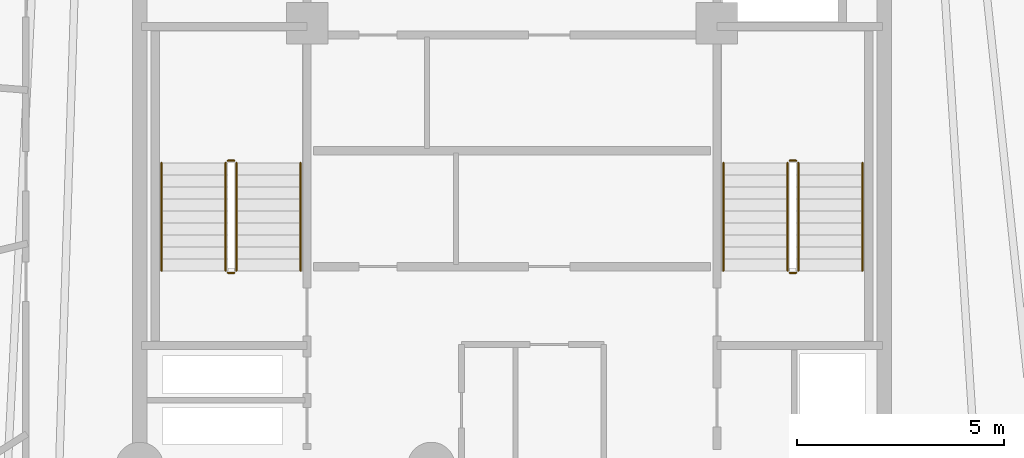
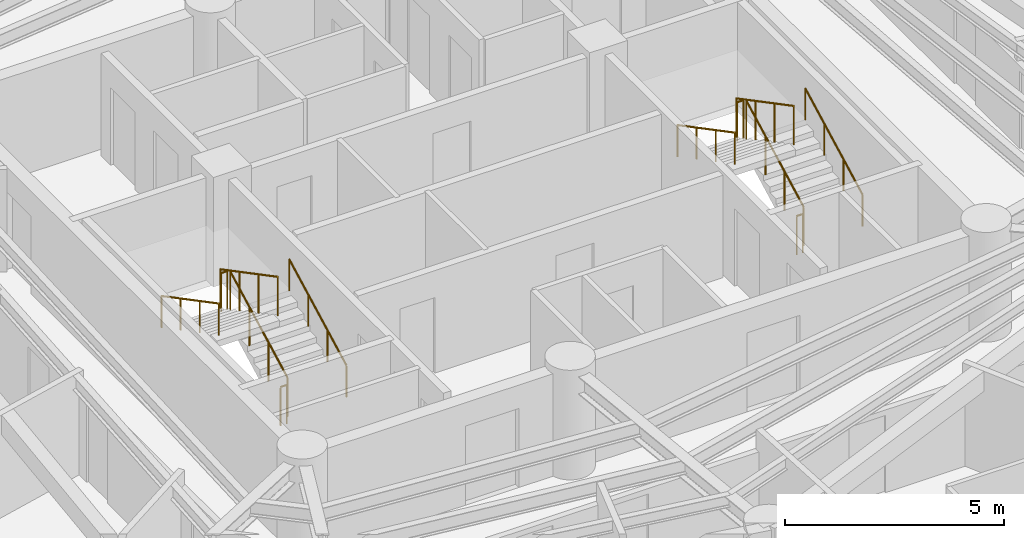
# One storey, part 7 of 7: 12 railings.
"""IFC4 building model written with IfcOpenShell, lengths in metres."""

from ifc_helpers import new_model, si_unit, direction, frame, origin, origin_2d, place, context, subcontext, project, spatial, circle, extrude, material, layer, layer_set, type_object, element, save


model = new_model("IFC4")

# Units and contexts
model_context = context("Model", 3, precision=1e-05, world=origin(), true_north=direction((0.0, 1.0)))
body_context = subcontext(model_context, "Body", "Model", "MODEL_VIEW")
ifc_project = project(units=[si_unit("LENGTHUNIT", "METRE"), si_unit("AREAUNIT", "SQUARE_METRE"), si_unit("VOLUMEUNIT", "CUBIC_METRE"), si_unit("PLANEANGLEUNIT", "RADIAN"), si_unit("MASSUNIT", "GRAM", prefix="KILO")], contexts=[model_context])

# Site, building, storey
site_placement = place(None, origin())
site = spatial("IfcSite", under=ifc_project, at=site_placement, CompositionType="ELEMENT")
building_placement = place(site_placement, origin())
building = spatial("IfcBuilding", under=site, at=building_placement, Name="Karkom Vertical University and Central Library", CompositionType="ELEMENT")
storey_placement = place(building_placement, frame((0.0, 0.0, 223.0)))
storey = spatial("IfcBuildingStorey", under=building, at=storey_placement, Name="L65", CompositionType="ELEMENT", Elevation=223.0)

# Railings
ifc_material_1 = material(Name="Painted galvanised steel balustrade", Category="steel")
ifc_layer_1 = layer(ifc_material_1, 0.06005859375)
ifc_layer_set_1 = layer_set([ifc_layer_1], Name="Painted galvanised steel balustrade")
railing_type_1 = type_object("IfcRailingType", Name="INT-RL-GUARD1100", PredefinedType="GUARDRAIL", material=ifc_layer_set_1)
railing_1_placement = place(storey_placement, frame((21.840087890625, 23.02001953125, 0.152587890625)))
element("IfcRailing", 1, at=railing_1_placement, inside=storey, type_object=railing_type_1, Name="Level 65 ST-1 stair guard 1", PredefinedType="GUARDRAIL", context=body_context, shape_type="SweptSolid", body=[
    extrude(circle(Radius=0.02392578125, at=origin_2d()), frame((0.0, 0.0, 1.076171875), z_axis=(0.0, 0.885099554253, 0.465401739426), x_axis=(-1.0, 0.0, 0.0)), (0.0, 0.0, 1.0), 2.94873046875),
    extrude(circle(Radius=0.02099609375, at=origin_2d()), origin(), (0.0, 0.0, 1.0), 1.052001953125),
    extrude(circle(Radius=0.02099609375, at=origin_2d()), frame((0.0, 0.869873046875, 0.45751953125)), (0.0, 0.0, 1.0), 1.052001953125),
    extrude(circle(Radius=0.02099609375, at=origin_2d()), frame((0.0, 1.739990234375, 0.914794921875)), (0.0, 0.0, 1.0), 1.052001953125),
    extrude(circle(Radius=0.02099609375, at=origin_2d()), frame((0.0, 2.60986328125, 1.372314453125)), (0.0, 0.0, 1.0), 1.052001953125),
])
railing_2_placement = place(storey_placement, frame((21.7900390625, 25.679931640625, 1.52490234375)))
element("IfcRailing", 2, at=railing_2_placement, inside=storey, type_object=railing_type_1, Name="Level 65 ST-1 stair guard 2", PredefinedType="GUARDRAIL", context=body_context, shape_type="SweptSolid", body=[
    extrude(circle(Radius=0.02392578125, at=origin_2d()), frame((0.0, 0.0, 1.076171875), z_axis=(-1.0, 0.0, 0.0), x_axis=(0.0, -1.0, 0.0)), (0.0, 0.0, 1.0), 0.16015625),
    extrude(circle(Radius=0.02099609375, at=origin_2d()), origin(), (0.0, 0.0, 1.0), 1.052001953125),
    extrude(circle(Radius=0.02099609375, at=origin_2d()), frame((-0.16015625, 0.0, 0.0)), (0.0, 0.0, 1.0), 1.052001953125),
])
railing_3_placement = place(storey_placement, frame((21.580078125, 25.6298828125, 1.677490234375)))
element("IfcRailing", 3, at=railing_3_placement, inside=storey, type_object=railing_type_1, Name="Level 65 ST-1 stair guard 3", PredefinedType="GUARDRAIL", context=body_context, shape_type="SweptSolid", body=[
    extrude(circle(Radius=0.02392578125, at=origin_2d()), frame((0.0, 0.0, 1.076171875), z_axis=(0.0, -0.885065446896, 0.46546659892), x_axis=(1.0, 0.0, 0.0)), (0.0, 0.0, 1.0), 2.94873046875),
    extrude(circle(Radius=0.02099609375, at=origin_2d()), origin(), (0.0, 0.0, 1.0), 1.052001953125),
    extrude(circle(Radius=0.02099609375, at=origin_2d()), frame((0.0, -0.869873046875, 0.45751953125)), (0.0, 0.0, 1.0), 1.052001953125),
    extrude(circle(Radius=0.02099609375, at=origin_2d()), frame((0.0, -1.739990234375, 0.9150390625)), (0.0, 0.0, 1.0), 1.052001953125),
    extrude(circle(Radius=0.02099609375, at=origin_2d()), frame((0.0, -2.60986328125, 1.37255859375)), (0.0, 0.0, 1.0), 1.052001953125),
])
railing_4_placement = place(storey_placement, frame((21.7900390625, 22.969970703125, 0.0)))
element("IfcRailing", 4, at=railing_4_placement, inside=storey, type_object=railing_type_1, Name="Level 65 ST-1 stair guard 4", PredefinedType="GUARDRAIL", context=body_context, shape_type="SweptSolid", body=[
    extrude(circle(Radius=0.02392578125, at=origin_2d()), frame((0.0, 0.0, 1.076171875), z_axis=(-1.0, 0.0, 0.0), x_axis=(0.0, -1.0, 0.0)), (0.0, 0.0, 1.0), 0.16015625),
    extrude(circle(Radius=0.02099609375, at=origin_2d()), origin(), (0.0, 0.0, 1.0), 1.052001953125),
    extrude(circle(Radius=0.02099609375, at=origin_2d()), frame((-0.16015625, 0.0, 0.0)), (0.0, 0.0, 1.0), 1.052001953125),
])
railing_5_placement = place(storey_placement, frame((35.419921875, 23.02001953125, 0.152587890625)))
element("IfcRailing", 5, at=railing_5_placement, inside=storey, type_object=railing_type_1, Name="Level 65 ST-2 stair guard 1", PredefinedType="GUARDRAIL", context=body_context, shape_type="SweptSolid", body=[
    extrude(circle(Radius=0.02392578125, at=origin_2d()), frame((0.0, 0.0, 1.076171875), z_axis=(0.0, 0.885099554253, 0.465401739426), x_axis=(-1.0, 0.0, 0.0)), (0.0, 0.0, 1.0), 2.94873046875),
    extrude(circle(Radius=0.02099609375, at=origin_2d()), origin(), (0.0, 0.0, 1.0), 1.052001953125),
    extrude(circle(Radius=0.02099609375, at=origin_2d()), frame((0.0, 0.869873046875, 0.45751953125)), (0.0, 0.0, 1.0), 1.052001953125),
    extrude(circle(Radius=0.02099609375, at=origin_2d()), frame((0.0, 1.739990234375, 0.914794921875)), (0.0, 0.0, 1.0), 1.052001953125),
    extrude(circle(Radius=0.02099609375, at=origin_2d()), frame((0.0, 2.60986328125, 1.372314453125)), (0.0, 0.0, 1.0), 1.052001953125),
])
railing_6_placement = place(storey_placement, frame((35.3701171875, 25.679931640625, 1.52490234375)))
element("IfcRailing", 6, at=railing_6_placement, inside=storey, type_object=railing_type_1, Name="Level 65 ST-2 stair guard 2", PredefinedType="GUARDRAIL", context=body_context, shape_type="SweptSolid", body=[
    extrude(circle(Radius=0.02392578125, at=origin_2d()), frame((0.0, 0.0, 1.076171875), z_axis=(-1.0, 0.0, 0.0), x_axis=(0.0, -1.0, 0.0)), (0.0, 0.0, 1.0), 0.16015625),
    extrude(circle(Radius=0.02099609375, at=origin_2d()), origin(), (0.0, 0.0, 1.0), 1.052001953125),
    extrude(circle(Radius=0.02099609375, at=origin_2d()), frame((-0.16015625, 0.0, 0.0)), (0.0, 0.0, 1.0), 1.052001953125),
])
railing_7_placement = place(storey_placement, frame((35.159912109375, 25.6298828125, 1.677490234375)))
element("IfcRailing", 7, at=railing_7_placement, inside=storey, type_object=railing_type_1, Name="Level 65 ST-2 stair guard 3", PredefinedType="GUARDRAIL", context=body_context, shape_type="SweptSolid", body=[
    extrude(circle(Radius=0.02392578125, at=origin_2d()), frame((0.0, 0.0, 1.076171875), z_axis=(0.0, -0.885065446896, 0.46546659892), x_axis=(1.0, 0.0, 0.0)), (0.0, 0.0, 1.0), 2.94873046875),
    extrude(circle(Radius=0.02099609375, at=origin_2d()), origin(), (0.0, 0.0, 1.0), 1.052001953125),
    extrude(circle(Radius=0.02099609375, at=origin_2d()), frame((0.0, -0.869873046875, 0.45751953125)), (0.0, 0.0, 1.0), 1.052001953125),
    extrude(circle(Radius=0.02099609375, at=origin_2d()), frame((0.0, -1.739990234375, 0.9150390625)), (0.0, 0.0, 1.0), 1.052001953125),
    extrude(circle(Radius=0.02099609375, at=origin_2d()), frame((0.0, -2.60986328125, 1.37255859375)), (0.0, 0.0, 1.0), 1.052001953125),
])
railing_8_placement = place(storey_placement, frame((35.3701171875, 22.969970703125, 0.0)))
element("IfcRailing", 8, at=railing_8_placement, inside=storey, type_object=railing_type_1, Name="Level 65 ST-2 stair guard 4", PredefinedType="GUARDRAIL", context=body_context, shape_type="SweptSolid", body=[
    extrude(circle(Radius=0.02392578125, at=origin_2d()), frame((0.0, 0.0, 1.076171875), z_axis=(-1.0, 0.0, 0.0), x_axis=(0.0, -1.0, 0.0)), (0.0, 0.0, 1.0), 0.16015625),
    extrude(circle(Radius=0.02099609375, at=origin_2d()), origin(), (0.0, 0.0, 1.0), 1.052001953125),
    extrude(circle(Radius=0.02099609375, at=origin_2d()), frame((-0.16015625, 0.0, 0.0)), (0.0, 0.0, 1.0), 1.052001953125),
])
ifc_material_2 = material(Name="Brushed stainless-steel tubular handrail", Category="steel")
ifc_layer_2 = layer(ifc_material_2, 0.048095703125)
ifc_layer_set_2 = layer_set([ifc_layer_2], Name="Brushed stainless-steel tubular handrail")
railing_type_2 = type_object("IfcRailingType", Name="INT-RL-HAND920", PredefinedType="HANDRAIL", material=ifc_layer_set_2)
railing_9_placement = place(storey_placement, frame((23.389892578125, 23.02001953125, 0.152587890625)))
element("IfcRailing", 9, at=railing_9_placement, inside=storey, type_object=railing_type_2, Name="Level 65 ST-1 stair handrail 1", PredefinedType="HANDRAIL", context=body_context, shape_type="SweptSolid", body=[
    extrude(circle(Radius=0.02392578125, at=origin_2d()), frame((0.0, 0.0, 0.8759765625), z_axis=(0.0, 0.885099554253, 0.465401739426), x_axis=(-1.0, 0.0, 0.0)), (0.0, 0.0, 1.0), 2.94873046875),
    extrude(circle(Radius=0.02099609375, at=origin_2d()), origin(), (0.0, 0.0, 1.0), 0.851806640625),
    extrude(circle(Radius=0.02099609375, at=origin_2d()), frame((0.0, 0.869873046875, 0.45751953125)), (0.0, 0.0, 1.0), 0.851806640625),
    extrude(circle(Radius=0.02099609375, at=origin_2d()), frame((0.0, 1.739990234375, 0.914794921875)), (0.0, 0.0, 1.0), 0.851806640625),
    extrude(circle(Radius=0.02099609375, at=origin_2d()), frame((0.0, 2.60986328125, 1.372314453125)), (0.0, 0.0, 1.0), 0.851806640625),
])
railing_10_placement = place(storey_placement, frame((20.030029296875, 25.6298828125, 1.677490234375)))
element("IfcRailing", 10, at=railing_10_placement, inside=storey, type_object=railing_type_2, Name="Level 65 ST-1 stair handrail 2", PredefinedType="HANDRAIL", context=body_context, shape_type="SweptSolid", body=[
    extrude(circle(Radius=0.02392578125, at=origin_2d()), frame((0.0, 0.0, 0.8759765625), z_axis=(0.0, -0.885065446896, 0.46546659892), x_axis=(1.0, 0.0, 0.0)), (0.0, 0.0, 1.0), 2.94873046875),
    extrude(circle(Radius=0.02099609375, at=origin_2d()), origin(), (0.0, 0.0, 1.0), 0.851806640625),
    extrude(circle(Radius=0.02099609375, at=origin_2d()), frame((0.0, -0.869873046875, 0.45751953125)), (0.0, 0.0, 1.0), 0.851806640625),
    extrude(circle(Radius=0.02099609375, at=origin_2d()), frame((0.0, -1.739990234375, 0.9150390625)), (0.0, 0.0, 1.0), 0.851806640625),
    extrude(circle(Radius=0.02099609375, at=origin_2d()), frame((0.0, -2.60986328125, 1.37255859375)), (0.0, 0.0, 1.0), 0.851806640625),
])
railing_11_placement = place(storey_placement, frame((36.969970703125, 23.02001953125, 0.152587890625)))
element("IfcRailing", 11, at=railing_11_placement, inside=storey, type_object=railing_type_2, Name="Level 65 ST-2 stair handrail 1", PredefinedType="HANDRAIL", context=body_context, shape_type="SweptSolid", body=[
    extrude(circle(Radius=0.02392578125, at=origin_2d()), frame((0.0, 0.0, 0.8759765625), z_axis=(0.0, 0.885099554253, 0.465401739426), x_axis=(-1.0, 0.0, 0.0)), (0.0, 0.0, 1.0), 2.94873046875),
    extrude(circle(Radius=0.02099609375, at=origin_2d()), origin(), (0.0, 0.0, 1.0), 0.851806640625),
    extrude(circle(Radius=0.02099609375, at=origin_2d()), frame((0.0, 0.869873046875, 0.45751953125)), (0.0, 0.0, 1.0), 0.851806640625),
    extrude(circle(Radius=0.02099609375, at=origin_2d()), frame((0.0, 1.739990234375, 0.914794921875)), (0.0, 0.0, 1.0), 0.851806640625),
    extrude(circle(Radius=0.02099609375, at=origin_2d()), frame((0.0, 2.60986328125, 1.372314453125)), (0.0, 0.0, 1.0), 0.851806640625),
])
railing_12_placement = place(storey_placement, frame((33.610107421875, 25.6298828125, 1.677490234375)))
element("IfcRailing", 12, at=railing_12_placement, inside=storey, type_object=railing_type_2, Name="Level 65 ST-2 stair handrail 2", PredefinedType="HANDRAIL", context=body_context, shape_type="SweptSolid", body=[
    extrude(circle(Radius=0.02392578125, at=origin_2d()), frame((0.0, 0.0, 0.8759765625), z_axis=(0.0, -0.885065446896, 0.46546659892), x_axis=(1.0, 0.0, 0.0)), (0.0, 0.0, 1.0), 2.94873046875),
    extrude(circle(Radius=0.02099609375, at=origin_2d()), origin(), (0.0, 0.0, 1.0), 0.851806640625),
    extrude(circle(Radius=0.02099609375, at=origin_2d()), frame((0.0, -0.869873046875, 0.45751953125)), (0.0, 0.0, 1.0), 0.851806640625),
    extrude(circle(Radius=0.02099609375, at=origin_2d()), frame((0.0, -1.739990234375, 0.9150390625)), (0.0, 0.0, 1.0), 0.851806640625),
    extrude(circle(Radius=0.02099609375, at=origin_2d()), frame((0.0, -2.60986328125, 1.37255859375)), (0.0, 0.0, 1.0), 0.851806640625),
])

save(model, "model.ifc")
